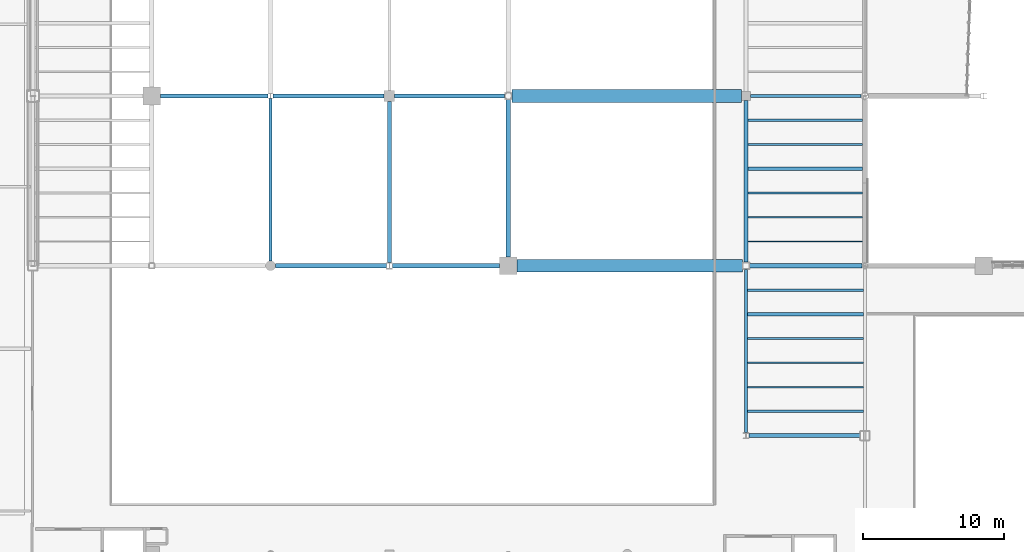
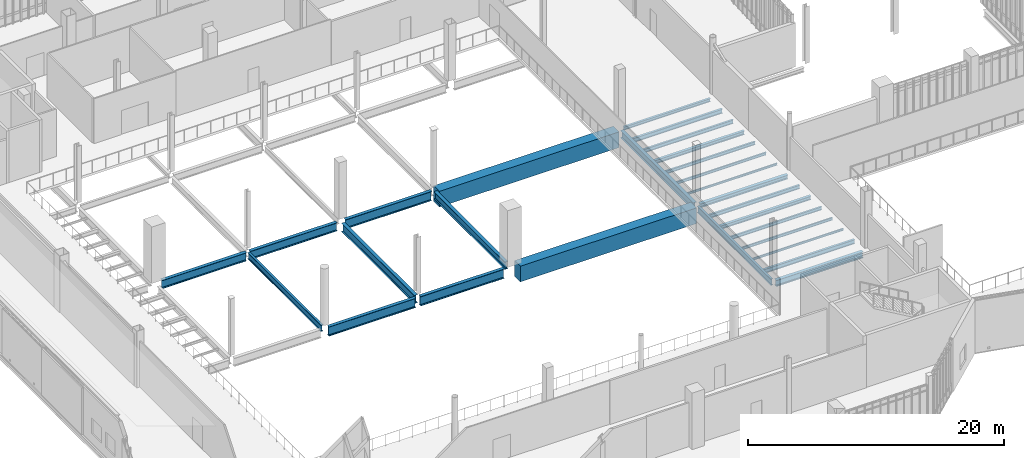
# One storey, part 23 of 127: 27 beams.
"""IFC4 building model written with IfcOpenShell, lengths in metres."""

from ifc_helpers import new_model, si_unit, direction, frame, origin, origin_2d, place, context, subcontext, project, spatial, rectangle, i_section, extrude, material, material_profile, profile_set, type_object, element, save


model = new_model("IFC4")

# Units and contexts
model_context = context("Model", 3, precision=1e-05, world=origin(), true_north=direction((0.0, 1.0)))
body_context = subcontext(model_context, "Body", "Model", "MODEL_VIEW")
ifc_project = project(units=[si_unit("LENGTHUNIT", "METRE"), si_unit("AREAUNIT", "SQUARE_METRE"), si_unit("VOLUMEUNIT", "CUBIC_METRE"), si_unit("PLANEANGLEUNIT", "RADIAN"), si_unit("MASSUNIT", "GRAM", prefix="KILO")], contexts=[model_context])

# Site, building, storey
site_placement = place(None, origin())
site = spatial("IfcSite", under=ifc_project, at=site_placement, CompositionType="ELEMENT")
building_placement = place(site_placement, origin())
building = spatial("IfcBuilding", under=site, at=building_placement, Name="Larkvane Passage Sports Hall", CompositionType="ELEMENT")
storey_placement = place(building_placement, frame((0.0, 0.0, 5.39990234375)))
storey = spatial("IfcBuildingStorey", under=building, at=storey_placement, Name="L01", CompositionType="ELEMENT", Elevation=5.39990234375)

# Beams
ifc_material_1 = material(Name="Steel S355JR", Category="steel")
ifc_material_profile_1 = material_profile(ifc_material_1, i_section(OverallWidth=0.199951171875, OverallDepth=0.2939453125, WebThickness=0.008056640625, FlangeThickness=0.011962890625, FilletRadius=0.012939453125, at=origin_2d()), Name="H-294x200x8x12")
ifc_profile_set_1 = profile_set([ifc_material_profile_1], Name="Steel S355JR")
beam_type_1 = type_object("IfcBeamType", Name="BM-STL-H294", PredefinedType="BEAM", material=ifc_profile_set_1)
beam_1_placement = place(storey_placement, frame((85.52490234375, 63.60009765625, -0.56689453125), z_axis=(1.0, 0.0, 0.0), x_axis=(0.0, 1.0, 0.0)))
element("IfcBeam", 1, at=beam_1_placement, inside=storey, type_object=beam_type_1, Name="Girder BM5-X-L01-H-0417", PredefinedType="BEAM", context=body_context, shape_type="SweptSolid", body=[
    extrude(i_section(OverallWidth=0.199951171875, OverallDepth=0.2939453125, WebThickness=0.008056640625, FlangeThickness=0.011962890625, FilletRadius=0.012939453125, at=origin_2d()), origin(), (0.0, 0.0, 1.0), 7.821044921875),
])
ifc_material_profile_2 = material_profile(ifc_material_1, i_section(OverallWidth=0.300048828125, OverallDepth=0.389892578125, WebThickness=0.010009765625, FlangeThickness=0.01611328125, FilletRadius=0.01806640625, at=origin_2d()), Name="H-390x300x10x16")
ifc_profile_set_2 = profile_set([ifc_material_profile_2], Name="Steel S355JR")
beam_type_2 = type_object("IfcBeamType", Name="BM-STL-H390", PredefinedType="BEAM", material=ifc_profile_set_2)
beam_2_placement = place(storey_placement, frame((85.449951171875, 51.60009765625, -0.614990234375), z_axis=(1.0, 0.0, 0.0), x_axis=(0.0, 1.0, 0.0)))
element("IfcBeam", 2, at=beam_2_placement, inside=storey, type_object=beam_type_2, Name="Girder BM5-X-L01-G-0405", PredefinedType="BEAM", context=body_context, shape_type="SweptSolid", body=[
    extrude(i_section(OverallWidth=0.300048828125, OverallDepth=0.389892578125, WebThickness=0.010009765625, FlangeThickness=0.01611328125, FilletRadius=0.01806640625, at=origin_2d()), origin(), (0.0, 0.0, 1.0), 7.94677734375),
])
ifc_material_2 = material(Name="Steel S460N", Category="steel")
ifc_material_profile_3 = material_profile(ifc_material_2, i_section(OverallWidth=0.300048828125, OverallDepth=0.587890625, WebThickness=0.011962890625, FlangeThickness=0.02001953125, FilletRadius=0.02197265625, at=origin_2d()), Name="H-588x300x12x20")
ifc_profile_set_3 = profile_set([ifc_material_profile_3], Name="Steel S460N")
beam_type_3 = type_object("IfcBeamType", Name="BM-STL-H588", PredefinedType="BEAM", material=ifc_profile_set_3)
beam_3_placement = place(storey_placement, frame((85.402587890625, 39.60009765625, -0.7138671875), z_axis=(1.0, 0.0, 0.0), x_axis=(0.0, 1.0, 0.0)))
element("IfcBeam", 3, at=beam_3_placement, inside=storey, type_object=beam_type_3, Name="Girder BM5-X-L01-F-0396", PredefinedType="BEAM", context=body_context, shape_type="SweptSolid", body=[
    extrude(i_section(OverallWidth=0.300048828125, OverallDepth=0.587890625, WebThickness=0.011962890625, FlangeThickness=0.02001953125, FilletRadius=0.02197265625, at=origin_2d()), origin(), (0.0, 0.0, 1.0), 7.847412109375),
])
ifc_material_profile_4 = material_profile(ifc_material_1, i_section(OverallWidth=0.199951171875, OverallDepth=0.60009765625, WebThickness=0.010986328125, FlangeThickness=0.01708984375, FilletRadius=0.01806640625, at=origin_2d()), Name="H-600x200x11x17")
ifc_profile_set_4 = profile_set([ifc_material_profile_4], Name="Steel S355JR")
beam_type_4 = type_object("IfcBeamType", Name="BM-STL-H600", PredefinedType="BEAM", material=ifc_profile_set_4)
beam_4_placement = place(storey_placement, frame((51.60009765625, 51.949951171875, -0.719970703125), z_axis=(0.0, 1.0, 0.0), x_axis=(-1.0, 0.0, 0.0)))
element("IfcBeam", 4, at=beam_4_placement, inside=storey, type_object=beam_type_4, Name="Girder BM5-Y-L01-8-0457", PredefinedType="BEAM", context=body_context, shape_type="SweptSolid", body=[
    extrude(i_section(OverallWidth=0.199951171875, OverallDepth=0.60009765625, WebThickness=0.010986328125, FlangeThickness=0.01708984375, FilletRadius=0.01806640625, at=origin_2d()), origin(), (0.0, 0.0, 1.0), 11.47509765625),
])
beam_5_placement = place(storey_placement, frame((85.199951171875, 39.806884765625, -0.719970703125), z_axis=(0.0, 1.0, 0.0), x_axis=(-1.0, 0.0, 0.0)))
element("IfcBeam", 5, at=beam_5_placement, inside=storey, type_object=beam_type_4, Name="Girder BM5-Y-L01-12-0481", PredefinedType="BEAM", context=body_context, shape_type="SweptSolid", body=[
    extrude(i_section(OverallWidth=0.199951171875, OverallDepth=0.60009765625, WebThickness=0.010986328125, FlangeThickness=0.01708984375, FilletRadius=0.01806640625, at=origin_2d()), origin(), (0.0, 0.0, 1.0), 11.543212890625),
])
ifc_material_profile_5 = material_profile(ifc_material_2, i_section(OverallWidth=0.300048828125, OverallDepth=0.69189453125, WebThickness=0.012939453125, FlangeThickness=0.02001953125, FilletRadius=0.02197265625, at=origin_2d()), Name="H-692x300x13x20")
ifc_profile_set_5 = profile_set([ifc_material_profile_5], Name="Steel S460N")
beam_type_5 = type_object("IfcBeamType", Name="BM-STL-H692", PredefinedType="BEAM", material=ifc_profile_set_5)
beam_6_placement = place(storey_placement, frame((85.199951171875, 51.85009765625, -0.765869140625), z_axis=(0.0, 1.0, 0.0), x_axis=(-1.0, 0.0, 0.0)))
element("IfcBeam", 6, at=beam_6_placement, inside=storey, type_object=beam_type_5, Name="Girder BM5-Y-L01-12-0482", PredefinedType="BEAM", context=body_context, shape_type="SweptSolid", body=[
    extrude(i_section(OverallWidth=0.300048828125, OverallDepth=0.69189453125, WebThickness=0.012939453125, FlangeThickness=0.02001953125, FilletRadius=0.02197265625, at=origin_2d()), origin(), (0.0, 0.0, 1.0), 11.4248046875),
])
ifc_material_profile_6 = material_profile(ifc_material_2, i_section(OverallWidth=0.300048828125, OverallDepth=0.699951171875, WebThickness=0.012939453125, FlangeThickness=0.02392578125, FilletRadius=0.02197265625, at=origin_2d()), Name="H-700x300x13x24")
ifc_profile_set_6 = profile_set([ifc_material_profile_6], Name="Steel S460N")
beam_type_6 = type_object("IfcBeamType", Name="BM-STL-H700", PredefinedType="BEAM", material=ifc_profile_set_6)
beam_7_placement = place(storey_placement, frame((68.39990234375, 52.22509765625, -0.77001953125), z_axis=(0.0, 1.0, 0.0), x_axis=(-1.0, 0.0, 0.0)))
element("IfcBeam", 7, at=beam_7_placement, inside=storey, type_object=beam_type_6, Name="Girder BM5-Y-L01-10-0471", PredefinedType="BEAM", context=body_context, shape_type="SweptSolid", body=[
    extrude(i_section(OverallWidth=0.300048828125, OverallDepth=0.699951171875, WebThickness=0.012939453125, FlangeThickness=0.02392578125, FilletRadius=0.02197265625, at=origin_2d()), origin(), (0.0, 0.0, 1.0), 11.120849609375),
])
ifc_material_profile_7 = material_profile(ifc_material_2, i_section(OverallWidth=0.300048828125, OverallDepth=0.7919921875, WebThickness=0.013916015625, FlangeThickness=0.02197265625, FilletRadius=0.02197265625, at=origin_2d()), Name="H-792x300x14x22")
ifc_profile_set_7 = profile_set([ifc_material_profile_7], Name="Steel S460N")
beam_type_7 = type_object("IfcBeamType", Name="BM-STL-H792", PredefinedType="BEAM", material=ifc_profile_set_7)
beam_8_placement = place(storey_placement, frame((43.824951171875, 63.60009765625, -0.81591796875), z_axis=(1.0, 0.0, 0.0), x_axis=(0.0, 1.0, 0.0)))
element("IfcBeam", 8, at=beam_8_placement, inside=storey, type_object=beam_type_7, Name="Girder BM5-X-L01-H-0413", PredefinedType="BEAM", context=body_context, shape_type="SweptSolid", body=[
    extrude(i_section(OverallWidth=0.300048828125, OverallDepth=0.7919921875, WebThickness=0.013916015625, FlangeThickness=0.02197265625, FilletRadius=0.02197265625, at=origin_2d()), origin(), (0.0, 0.0, 1.0), 7.60009765625),
])
beam_9_placement = place(storey_placement, frame((60.0, 51.8291015625, -0.81591796875), z_axis=(0.0, 1.0, 0.0), x_axis=(-1.0, 0.0, 0.0)))
element("IfcBeam", 9, at=beam_9_placement, inside=storey, type_object=beam_type_7, Name="Girder BM5-Y-L01-9-0464", PredefinedType="BEAM", context=body_context, shape_type="SweptSolid", body=[
    extrude(i_section(OverallWidth=0.300048828125, OverallDepth=0.7919921875, WebThickness=0.013916015625, FlangeThickness=0.02197265625, FilletRadius=0.02197265625, at=origin_2d()), origin(), (0.0, 0.0, 1.0), 11.39599609375),
])
ifc_material_profile_8 = material_profile(ifc_material_2, i_section(OverallWidth=0.300048828125, OverallDepth=0.800048828125, WebThickness=0.013916015625, FlangeThickness=0.02587890625, FilletRadius=0.02197265625, at=origin_2d()), Name="H-800x300x14x26")
ifc_profile_set_8 = profile_set([ifc_material_profile_8], Name="Steel S460N")
beam_type_8 = type_object("IfcBeamType", Name="BM-STL-H800", PredefinedType="BEAM", material=ifc_profile_set_8)
beam_10_placement = place(storey_placement, frame((51.77490234375, 63.60009765625, -0.81982421875), z_axis=(1.0, 0.0, 0.0), x_axis=(0.0, 1.0, 0.0)))
element("IfcBeam", 10, at=beam_10_placement, inside=storey, type_object=beam_type_8, Name="Girder BM5-X-L01-H-0414", PredefinedType="BEAM", context=body_context, shape_type="SweptSolid", body=[
    extrude(i_section(OverallWidth=0.300048828125, OverallDepth=0.800048828125, WebThickness=0.013916015625, FlangeThickness=0.02587890625, FilletRadius=0.02197265625, at=origin_2d()), origin(), (0.0, 0.0, 1.0), 7.85009765625),
])
ifc_material_profile_9 = material_profile(ifc_material_2, i_section(OverallWidth=0.299072265625, OverallDepth=0.889892578125, WebThickness=0.014892578125, FlangeThickness=0.02294921875, FilletRadius=0.02197265625, at=origin_2d()), Name="H-890x299x15x23")
ifc_profile_set_9 = profile_set([ifc_material_profile_9], Name="Steel S460N")
beam_type_9 = type_object("IfcBeamType", Name="BM-STL-H890", PredefinedType="BEAM", material=ifc_profile_set_9)
beam_11_placement = place(storey_placement, frame((51.949951171875, 51.60009765625, -0.864990234375), z_axis=(1.0, 0.0, 0.0), x_axis=(0.0, 1.0, 0.0)))
element("IfcBeam", 11, at=beam_11_placement, inside=storey, type_object=beam_type_9, Name="Girder BM5-X-L01-G-0402", PredefinedType="BEAM", context=body_context, shape_type="SweptSolid", body=[
    extrude(i_section(OverallWidth=0.299072265625, OverallDepth=0.889892578125, WebThickness=0.014892578125, FlangeThickness=0.02294921875, FilletRadius=0.02197265625, at=origin_2d()), origin(), (0.0, 0.0, 1.0), 7.841552734375),
])
beam_12_placement = place(storey_placement, frame((60.375, 63.60009765625, -0.864990234375), z_axis=(1.0, 0.0, 0.0), x_axis=(0.0, 1.0, 0.0)))
element("IfcBeam", 12, at=beam_12_placement, inside=storey, type_object=beam_type_9, Name="Girder BM5-X-L01-H-0415", PredefinedType="BEAM", context=body_context, shape_type="SweptSolid", body=[
    extrude(i_section(OverallWidth=0.299072265625, OverallDepth=0.889892578125, WebThickness=0.014892578125, FlangeThickness=0.02294921875, FilletRadius=0.02197265625, at=origin_2d()), origin(), (0.0, 0.0, 1.0), 7.77099609375),
])
ifc_material_profile_10 = material_profile(ifc_material_2, i_section(OverallWidth=0.300048828125, OverallDepth=0.89990234375, WebThickness=0.01611328125, FlangeThickness=0.028076171875, FilletRadius=0.02197265625, at=origin_2d()), Name="H-900x300x16x28")
ifc_profile_set_10 = profile_set([ifc_material_profile_10], Name="Steel S460N")
beam_type_10 = type_object("IfcBeamType", Name="BM-STL-H900", PredefinedType="BEAM", material=ifc_profile_set_10)
beam_13_placement = place(storey_placement, frame((60.20849609375, 51.60009765625, -0.869873046875), z_axis=(1.0, 0.0, 0.0), x_axis=(0.0, 1.0, 0.0)))
element("IfcBeam", 13, at=beam_13_placement, inside=storey, type_object=beam_type_10, Name="Girder BM5-X-L01-G-0403", PredefinedType="BEAM", context=body_context, shape_type="SweptSolid", body=[
    extrude(i_section(OverallWidth=0.300048828125, OverallDepth=0.89990234375, WebThickness=0.01611328125, FlangeThickness=0.028076171875, FilletRadius=0.02197265625, at=origin_2d()), origin(), (0.0, 0.0, 1.0), 7.56640625),
])
ifc_material_profile_11 = material_profile(ifc_material_1, i_section(OverallWidth=0.10009765625, OverallDepth=0.199951171875, WebThickness=0.005615234375, FlangeThickness=0.008056640625, FilletRadius=0.008056640625, at=origin_2d()), Name="H-200x100x5.5x8")
ifc_profile_set_11 = profile_set([ifc_material_profile_11], Name="Steel S355JR")
beam_type_11 = type_object("IfcBeamType", Name="JST-STL-H200", PredefinedType="JOIST", material=ifc_profile_set_11)
beam_14_placement = place(storey_placement, frame((85.300048828125, 43.028564453125, -0.52001953125), z_axis=(1.0, 0.0, 0.0), x_axis=(0.0, 1.0, 0.0)))
element("IfcBeam", 14, at=beam_14_placement, inside=storey, type_object=beam_type_11, Name="Composite joist L01 12/F-2", PredefinedType="JOIST", context=body_context, shape_type="SweptSolid", body=[
    extrude(i_section(OverallWidth=0.10009765625, OverallDepth=0.199951171875, WebThickness=0.005615234375, FlangeThickness=0.008056640625, FilletRadius=0.008056640625, at=origin_2d()), origin(), (0.0, 0.0, 1.0), 8.199951171875),
])
beam_15_placement = place(storey_placement, frame((85.35009765625, 53.314208984375, -0.52001953125), z_axis=(1.0, 0.0, 0.0), x_axis=(0.0, 1.0, 0.0)))
element("IfcBeam", 15, at=beam_15_placement, inside=storey, type_object=beam_type_11, Name="Composite joist L01 12/G-1", PredefinedType="JOIST", context=body_context, shape_type="SweptSolid", body=[
    extrude(i_section(OverallWidth=0.10009765625, OverallDepth=0.199951171875, WebThickness=0.005615234375, FlangeThickness=0.008056640625, FilletRadius=0.008056640625, at=origin_2d()), origin(), (0.0, 0.0, 1.0), 8.099853515625),
])
ifc_material_profile_12 = material_profile(ifc_material_1, i_section(OverallWidth=0.125, OverallDepth=0.25, WebThickness=0.006103515625, FlangeThickness=0.009033203125, FilletRadius=0.008056640625, at=origin_2d()), Name="H-250x125x6x9")
ifc_profile_set_12 = profile_set([ifc_material_profile_12], Name="Steel S355JR")
beam_type_12 = type_object("IfcBeamType", Name="JST-STL-H250", PredefinedType="JOIST", material=ifc_profile_set_12)
beam_16_placement = place(storey_placement, frame((85.300048828125, 44.742919921875, -0.544921875), z_axis=(1.0, 0.0, 0.0), x_axis=(0.0, 1.0, 0.0)))
element("IfcBeam", 16, at=beam_16_placement, inside=storey, type_object=beam_type_12, Name="Composite joist L01 12/F-3", PredefinedType="JOIST", context=body_context, shape_type="SweptSolid", body=[
    extrude(i_section(OverallWidth=0.125, OverallDepth=0.25, WebThickness=0.006103515625, FlangeThickness=0.009033203125, FilletRadius=0.008056640625, at=origin_2d()), origin(), (0.0, 0.0, 1.0), 8.199951171875),
])
beam_17_placement = place(storey_placement, frame((85.35009765625, 55.028564453125, -0.544921875), z_axis=(1.0, 0.0, 0.0), x_axis=(0.0, 1.0, 0.0)))
element("IfcBeam", 17, at=beam_17_placement, inside=storey, type_object=beam_type_12, Name="Composite joist L01 12/G-2", PredefinedType="JOIST", context=body_context, shape_type="SweptSolid", body=[
    extrude(i_section(OverallWidth=0.125, OverallDepth=0.25, WebThickness=0.006103515625, FlangeThickness=0.009033203125, FilletRadius=0.008056640625, at=origin_2d()), origin(), (0.0, 0.0, 1.0), 8.099853515625),
])
ifc_material_profile_13 = material_profile(ifc_material_1, i_section(OverallWidth=0.14990234375, OverallDepth=0.300048828125, WebThickness=0.006591796875, FlangeThickness=0.009033203125, FilletRadius=0.012939453125, at=origin_2d()), Name="H-300x150x6.5x9")
ifc_profile_set_13 = profile_set([ifc_material_profile_13], Name="Steel S355JR")
beam_type_13 = type_object("IfcBeamType", Name="JST-STL-H300", PredefinedType="JOIST", material=ifc_profile_set_13)
beam_18_placement = place(storey_placement, frame((85.300048828125, 46.45703125, -0.56982421875), z_axis=(1.0, 0.0, 0.0), x_axis=(0.0, 1.0, 0.0)))
element("IfcBeam", 18, at=beam_18_placement, inside=storey, type_object=beam_type_13, Name="Composite joist L01 12/F-4", PredefinedType="JOIST", context=body_context, shape_type="SweptSolid", body=[
    extrude(i_section(OverallWidth=0.14990234375, OverallDepth=0.300048828125, WebThickness=0.006591796875, FlangeThickness=0.009033203125, FilletRadius=0.012939453125, at=origin_2d()), origin(), (0.0, 0.0, 1.0), 8.199951171875),
])
beam_19_placement = place(storey_placement, frame((85.35009765625, 56.742919921875, -0.56982421875), z_axis=(1.0, 0.0, 0.0), x_axis=(0.0, 1.0, 0.0)))
element("IfcBeam", 19, at=beam_19_placement, inside=storey, type_object=beam_type_13, Name="Composite joist L01 12/G-3", PredefinedType="JOIST", context=body_context, shape_type="SweptSolid", body=[
    extrude(i_section(OverallWidth=0.14990234375, OverallDepth=0.300048828125, WebThickness=0.006591796875, FlangeThickness=0.009033203125, FilletRadius=0.012939453125, at=origin_2d()), origin(), (0.0, 0.0, 1.0), 8.099853515625),
])
ifc_material_profile_14 = material_profile(ifc_material_1, i_section(OverallWidth=0.25, OverallDepth=0.340087890625, WebThickness=0.009033203125, FlangeThickness=0.013916015625, FilletRadius=0.012939453125, at=origin_2d()), Name="H-340x250x9x14")
ifc_profile_set_14 = profile_set([ifc_material_profile_14], Name="Steel S355JR")
beam_type_14 = type_object("IfcBeamType", Name="JST-STL-H340", PredefinedType="JOIST", material=ifc_profile_set_14)
beam_20_placement = place(storey_placement, frame((85.300048828125, 48.17138671875, -0.58984375), z_axis=(1.0, 0.0, 0.0), x_axis=(0.0, 1.0, 0.0)))
element("IfcBeam", 20, at=beam_20_placement, inside=storey, type_object=beam_type_14, Name="Composite joist L01 12/F-5", PredefinedType="JOIST", context=body_context, shape_type="SweptSolid", body=[
    extrude(i_section(OverallWidth=0.25, OverallDepth=0.340087890625, WebThickness=0.009033203125, FlangeThickness=0.013916015625, FilletRadius=0.012939453125, at=origin_2d()), origin(), (0.0, 0.0, 1.0), 8.199951171875),
])
beam_21_placement = place(storey_placement, frame((85.35009765625, 58.45703125, -0.58984375), z_axis=(1.0, 0.0, 0.0), x_axis=(0.0, 1.0, 0.0)))
element("IfcBeam", 21, at=beam_21_placement, inside=storey, type_object=beam_type_14, Name="Composite joist L01 12/G-4", PredefinedType="JOIST", context=body_context, shape_type="SweptSolid", body=[
    extrude(i_section(OverallWidth=0.25, OverallDepth=0.340087890625, WebThickness=0.009033203125, FlangeThickness=0.013916015625, FilletRadius=0.012939453125, at=origin_2d()), origin(), (0.0, 0.0, 1.0), 8.099853515625),
])
ifc_material_profile_15 = material_profile(ifc_material_1, i_section(OverallWidth=0.175048828125, OverallDepth=0.35009765625, WebThickness=0.007080078125, FlangeThickness=0.010986328125, FilletRadius=0.012939453125, at=origin_2d()), Name="H-350x175x7x11")
ifc_profile_set_15 = profile_set([ifc_material_profile_15], Name="Steel S355JR")
beam_type_15 = type_object("IfcBeamType", Name="JST-STL-H350", PredefinedType="JOIST", material=ifc_profile_set_15)
beam_22_placement = place(storey_placement, frame((85.300048828125, 49.8857421875, -0.594970703125), z_axis=(1.0, 0.0, 0.0), x_axis=(0.0, 1.0, 0.0)))
element("IfcBeam", 22, at=beam_22_placement, inside=storey, type_object=beam_type_15, Name="Composite joist L01 12/F-6", PredefinedType="JOIST", context=body_context, shape_type="SweptSolid", body=[
    extrude(i_section(OverallWidth=0.175048828125, OverallDepth=0.35009765625, WebThickness=0.007080078125, FlangeThickness=0.010986328125, FilletRadius=0.012939453125, at=origin_2d()), origin(), (0.0, 0.0, 1.0), 8.199951171875),
])
beam_23_placement = place(storey_placement, frame((85.35009765625, 60.17138671875, -0.594970703125), z_axis=(1.0, 0.0, 0.0), x_axis=(0.0, 1.0, 0.0)))
element("IfcBeam", 23, at=beam_23_placement, inside=storey, type_object=beam_type_15, Name="Composite joist L01 12/G-5", PredefinedType="JOIST", context=body_context, shape_type="SweptSolid", body=[
    extrude(i_section(OverallWidth=0.175048828125, OverallDepth=0.35009765625, WebThickness=0.007080078125, FlangeThickness=0.010986328125, FilletRadius=0.012939453125, at=origin_2d()), origin(), (0.0, 0.0, 1.0), 8.099853515625),
])
ifc_material_profile_16 = material_profile(ifc_material_1, i_section(OverallWidth=0.199951171875, OverallDepth=0.39990234375, WebThickness=0.008056640625, FlangeThickness=0.012939453125, FilletRadius=0.012939453125, at=origin_2d()), Name="H-400x200x8x13")
ifc_profile_set_16 = profile_set([ifc_material_profile_16], Name="Steel S355JR")
beam_type_16 = type_object("IfcBeamType", Name="JST-STL-H400", PredefinedType="JOIST", material=ifc_profile_set_16)
beam_24_placement = place(storey_placement, frame((85.300048828125, 41.314208984375, -0.619873046875), z_axis=(1.0, 0.0, 0.0), x_axis=(0.0, 1.0, 0.0)))
element("IfcBeam", 24, at=beam_24_placement, inside=storey, type_object=beam_type_16, Name="Composite joist L01 12/F-1", PredefinedType="JOIST", context=body_context, shape_type="SweptSolid", body=[
    extrude(i_section(OverallWidth=0.199951171875, OverallDepth=0.39990234375, WebThickness=0.008056640625, FlangeThickness=0.012939453125, FilletRadius=0.012939453125, at=origin_2d()), origin(), (0.0, 0.0, 1.0), 8.199951171875),
])
beam_25_placement = place(storey_placement, frame((85.35009765625, 61.8857421875, -0.619873046875), z_axis=(1.0, 0.0, 0.0), x_axis=(0.0, 1.0, 0.0)))
element("IfcBeam", 25, at=beam_25_placement, inside=storey, type_object=beam_type_16, Name="Composite joist L01 12/G-6", PredefinedType="JOIST", context=body_context, shape_type="SweptSolid", body=[
    extrude(i_section(OverallWidth=0.199951171875, OverallDepth=0.39990234375, WebThickness=0.008056640625, FlangeThickness=0.012939453125, FilletRadius=0.012939453125, at=origin_2d()), origin(), (0.0, 0.0, 1.0), 8.099853515625),
])
ifc_material_3 = material(Name="Concrete C50/60", Category="concrete")
ifc_material_profile_17 = material_profile(ifc_material_3, rectangle(XDim=0.89990234375, YDim=1.5, at=origin_2d()), Name="PT-GIR-900x1500")
ifc_profile_set_17 = profile_set([ifc_material_profile_17], Name="Concrete C50/60")
beam_type_17 = type_object("IfcBeamType", Name="PTG-900x1500", PredefinedType="BEAM", material=ifc_profile_set_17)
beam_26_placement = place(storey_placement, frame((69.02490234375, 51.60009765625, -1.169921875), z_axis=(1.0, 0.0, 0.0), x_axis=(0.0, 1.0, 0.0)))
element("IfcBeam", 26, at=beam_26_placement, inside=storey, type_object=beam_type_17, Name="Post-tensioned transfer girder BM5-X-L01-G-0404", PredefinedType="BEAM", context=body_context, shape_type="SweptSolid", body=[
    extrude(rectangle(XDim=0.89990234375, YDim=1.5, at=origin_2d()), origin(), (0.0, 0.0, 1.0), 15.925048828125),
])
beam_27_placement = place(storey_placement, frame((68.654052734375, 63.60009765625, -1.169921875), z_axis=(1.0, 0.0, 0.0), x_axis=(0.0, 1.0, 0.0)))
element("IfcBeam", 27, at=beam_27_placement, inside=storey, type_object=beam_type_17, Name="Post-tensioned transfer girder BM5-X-L01-H-0416", PredefinedType="BEAM", context=body_context, shape_type="SweptSolid", body=[
    extrude(rectangle(XDim=0.89990234375, YDim=1.5, at=origin_2d()), origin(), (0.0, 0.0, 1.0), 16.220947265625),
])

save(model, "model.ifc")
